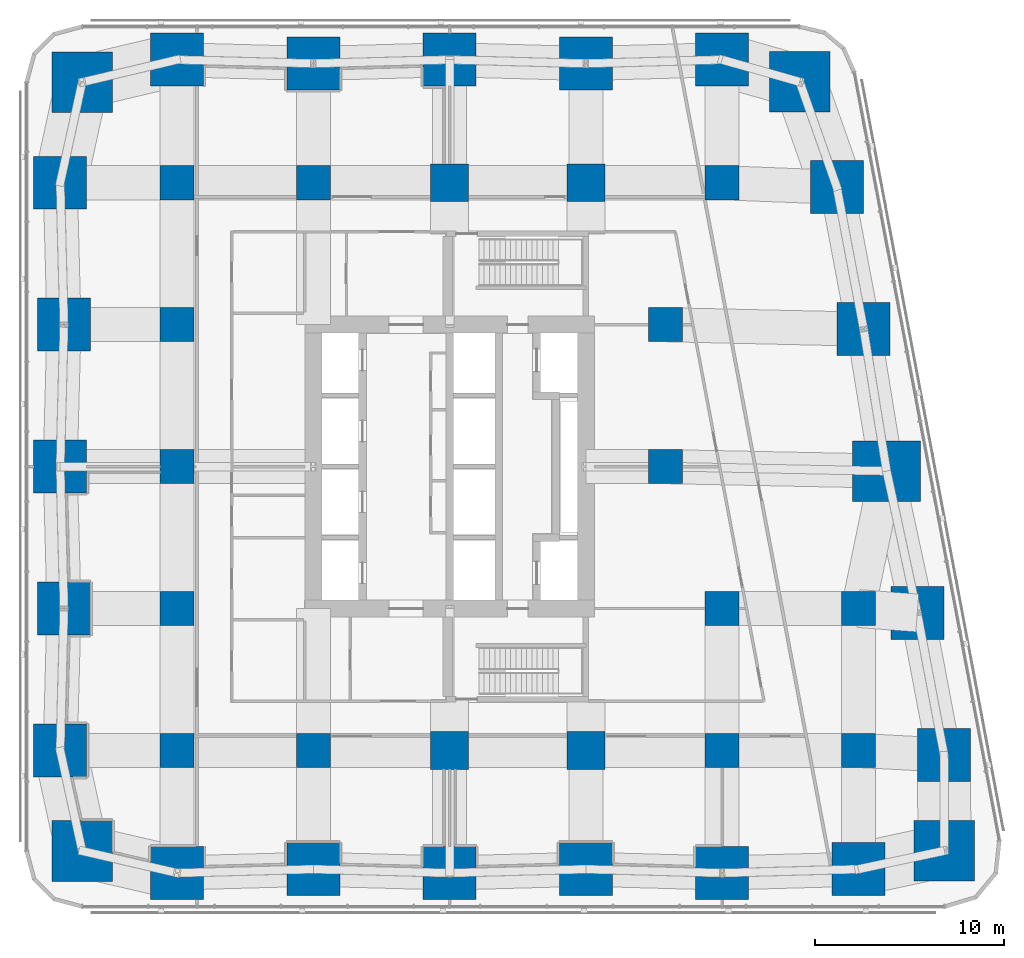
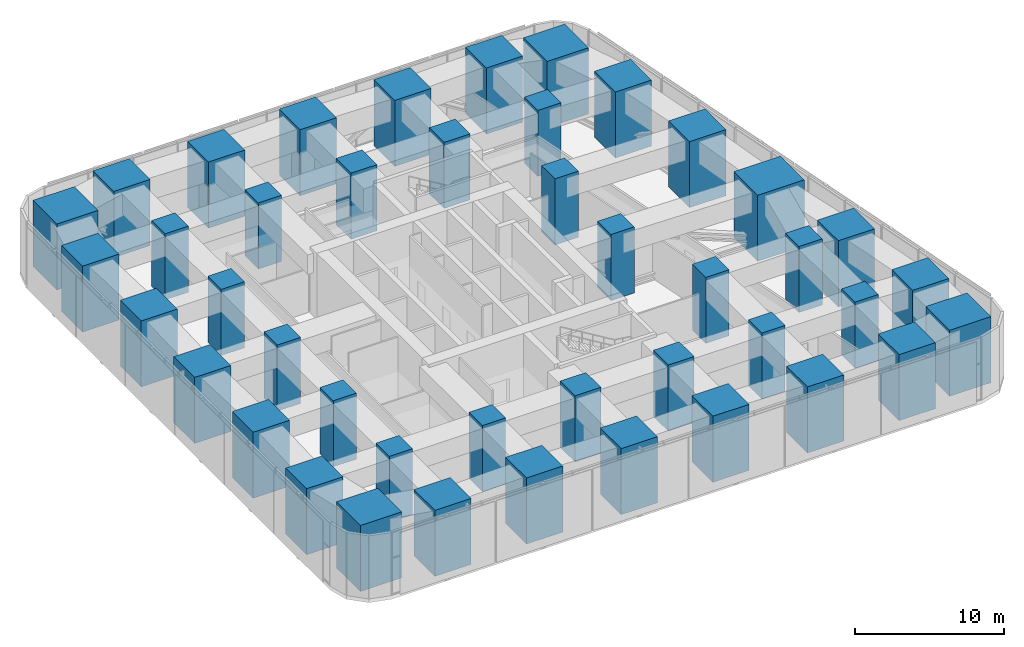
# One storey, part 1 of 20: 43 columns.
"""IFC4 building model written with IfcOpenShell, lengths in metres."""

from ifc_helpers import new_model, si_unit, direction, frame, origin, origin_2d, place, context, subcontext, project, spatial, rectangle, extrude, material, material_profile, profile_set, type_object, element, save


model = new_model("IFC4")

# Units and contexts
model_context = context("Model", 3, precision=1e-05, world=origin(), true_north=direction((0.0, 1.0)))
body_context = subcontext(model_context, "Body", "Model", "MODEL_VIEW")
ifc_project = project(units=[si_unit("LENGTHUNIT", "METRE"), si_unit("AREAUNIT", "SQUARE_METRE"), si_unit("VOLUMEUNIT", "CUBIC_METRE"), si_unit("PLANEANGLEUNIT", "RADIAN"), si_unit("MASSUNIT", "GRAM", prefix="KILO")], contexts=[model_context])

# Site, building, storey
site_placement = place(None, origin())
site = spatial("IfcSite", under=ifc_project, at=site_placement, CompositionType="ELEMENT")
building_placement = place(site_placement, origin())
building = spatial("IfcBuilding", under=site, at=building_placement, Name="Sheger Commons Tower", CompositionType="ELEMENT")
storey_placement = place(building_placement, frame((0.0, 0.0, 72.5)))
storey = spatial("IfcBuildingStorey", under=building, at=storey_placement, Name="L18", CompositionType="ELEMENT", Elevation=72.5)

# Columns
ifc_material_1 = material(Name="Concrete C50/60", Category="concrete")
ifc_material_profile_1 = material_profile(ifc_material_1, rectangle(XDim=3.60009765625, YDim=3.199951171875, at=origin_2d()), Name="RC 3600x3200")
ifc_profile_set_1 = profile_set([ifc_material_profile_1], Name="Concrete C50/60")
column_type_1 = type_object("IfcColumnType", Name="COLUMN PIER RC 3600x3200", PredefinedType="COLUMN", material=ifc_profile_set_1)
column_placement = place(storey_placement, frame((44.697021484375, 22.262939453125, 0.0), z_axis=(0.0, 0.0, 1.0), x_axis=(1.0, 0.0, 0.0)))
element("IfcColumn", 1, at=column_placement, inside=storey, type_object=column_type_1, Name="Pier 7/D+E/D L18", PredefinedType="COLUMN", context=body_context, shape_type="SweptSolid", body=[
    extrude(rectangle(XDim=3.60009765625, YDim=3.199951171875, at=origin_2d()), origin(), (0.0, 0.0, 1.0), 5.39990234375),
])
ifc_material_2 = material(Name="Concrete C50/60", Category="concrete")
ifc_material_profile_2 = material_profile(ifc_material_2, rectangle(XDim=1.800048828125, YDim=1.800048828125, at=origin_2d()), Name="RC 1800x1800")
ifc_profile_set_2 = profile_set([ifc_material_profile_2], Name="Concrete C50/60")
column_type_2 = type_object("IfcColumnType", Name="COLUMN RC 1800x1800", PredefinedType="COLUMN", material=ifc_profile_set_2)
for number, where, z_axis, x_axis, name in (
    (2, (7.199951171875, 7.5, 0.0), (0.0, 0.0, 1.0), (1.0, 0.0, 0.0), "Column 2/B L18"),
    (3, (14.39990234375, 7.5, 0.0), (0.0, 0.0, 1.0), (1.0, 0.0, 0.0), "Column 3/B L18"),
    (4, (36.0, 7.5, 0.0), (0.0, 0.0, 1.0), (1.0, 0.0, 0.0), "Column 6/B L18"),
    (5, (43.199951171875, 7.5, 0.0), (0.0, 0.0, 1.0), (1.0, 0.0, 0.0), "Column 7/B L18"),
    (6, (7.199951171875, 15.0, 0.0), (0.0, 0.0, 1.0), (1.0, 0.0, 0.0), "Column 2/C L18"),
    (7, (36.0, 15.0, 0.0), (0.0, 0.0, 1.0), (1.0, 0.0, 0.0), "Column 6/C L18"),
    (8, (43.199951171875, 15.0, 0.0), (0.0, 0.0, 1.0), (1.0, 0.0, 0.0), "Column 7/C L18"),
    (9, (7.199951171875, 22.5, 0.0), (0.0, 0.0, 1.0), (1.0, 0.0, 0.0), "Column 2/D L18"),
    (10, (33.0, 22.5, 0.0), (0.0, 0.0, 1.0), (1.0, 0.0, 0.0), "Column 6-3000/D L18"),
    (11, (7.199951171875, 30.0, 0.0), (0.0, 0.0, 1.0), (1.0, 0.0, 0.0), "Column 2/E L18"),
    (12, (33.0, 30.0, 0.0), (0.0, 0.0, 1.0), (1.0, 0.0, 0.0), "Column 6-3000/E L18"),
    (13, (7.199951171875, 37.5, 0.0), (0.0, 0.0, 1.0), (1.0, 0.0, 0.0), "Column 2/F L18"),
    (14, (14.39990234375, 37.5, 0.0), (0.0, 0.0, 1.0), (1.0, 0.0, 0.0), "Column 3/F L18"),
    (15, (36.0, 37.5, 0.0), (0.0, 0.0, 1.0), (1.0, 0.0, 0.0), "Column 6/F L18"),
):
    element("IfcColumn", number, at=place(storey_placement, frame(where, z_axis=z_axis, x_axis=x_axis)), inside=storey, type_object=column_type_2, Name=name, PredefinedType="COLUMN", context=body_context, shape_type="SweptSolid", body=[
        extrude(rectangle(XDim=1.800048828125, YDim=1.800048828125, at=origin_2d()), origin(), (0.0, 0.0, 1.0), 5.39990234375),
    ])
ifc_material_3 = material(Name="Concrete C50/60", Category="concrete")
ifc_material_profile_3 = material_profile(ifc_material_3, rectangle(XDim=2.0, YDim=2.0, at=origin_2d()), Name="RC 2000x2000")
ifc_profile_set_3 = profile_set([ifc_material_profile_3], Name="Concrete C50/60")
column_type_3 = type_object("IfcColumnType", Name="COLUMN RC 2000x2000", PredefinedType="COLUMN", material=ifc_profile_set_3)
for number, where, z_axis, x_axis, name in (
    (16, (21.60009765625, 7.5, 0.0), (0.0, 0.0, 1.0), (1.0, 0.0, 0.0), "Column 4/B L18"),
    (17, (28.800048828125, 7.5, 0.0), (0.0, 0.0, 1.0), (1.0, 0.0, 0.0), "Column 5/B L18"),
    (18, (21.60009765625, 37.5, 0.0), (0.0, 0.0, 1.0), (1.0, 0.0, 0.0), "Column 4/F L18"),
    (19, (28.800048828125, 37.5, 0.0), (0.0, 0.0, 1.0), (1.0, 0.0, 0.0), "Column 5/F L18"),
):
    element("IfcColumn", number, at=place(storey_placement, frame(where, z_axis=z_axis, x_axis=x_axis)), inside=storey, type_object=column_type_3, Name=name, PredefinedType="COLUMN", context=body_context, shape_type="SweptSolid", body=[
        extrude(rectangle(XDim=2.0, YDim=2.0, at=origin_2d()), origin(), (0.0, 0.0, 1.0), 5.39990234375),
    ])
ifc_material_4 = material(Name="Concrete C50/60", Category="concrete")
ifc_material_profile_4 = material_profile(ifc_material_4, rectangle(XDim=2.800048828125, YDim=2.800048828125, at=origin_2d()), Name="RC 2800x2800")
ifc_profile_set_4 = profile_set([ifc_material_profile_4], Name="Concrete C50/60")
column_type_4 = type_object("IfcColumnType", Name="COLUMN RC 2800x2800", PredefinedType="COLUMN", material=ifc_profile_set_4)
for number, where, z_axis, x_axis, name in (
    (20, (7.199951171875, 1.02490234375, 0.0), (0.0, 0.0, 1.0), (1.0, 0.0, 0.0), "Column 2/A L18"),
    (21, (14.39990234375, 1.22509765625, 0.0), (0.0, 0.0, 1.0), (1.0, 0.0, 0.0), "Column 3/A L18"),
    (22, (21.60009765625, 1.02490234375, 0.0), (0.0, 0.0, 1.0), (1.0, 0.0, 0.0), "Column 4/A L18"),
    (23, (28.800048828125, 1.22509765625, 0.0), (0.0, 0.0, 1.0), (1.0, 0.0, 0.0), "Column 5/A L18"),
    (24, (36.0, 1.02490234375, 0.0), (0.0, 0.0, 1.0), (1.0, 0.0, 0.0), "Column 6/A L18"),
    (25, (43.199951171875, 1.22509765625, 0.0), (0.0, 0.0, 1.0), (1.0, 0.0, 0.0), "Column 7/A L18"),
    (26, (1.02490234375, 7.5, 0.0), (0.0, 0.0, 1.0), (1.0, 0.0, 0.0), "Column 1/B L18"),
    (27, (47.72998046875, 7.262939453125, 0.0), (0.0, 0.0, 1.0), (1.0, 0.0, 0.0), "Column E/B L18"),
    (28, (1.22509765625, 15.0, 0.0), (0.0, 0.0, 1.0), (1.0, 0.0, 0.0), "Column 1/C L18"),
    (29, (46.31396484375, 14.762939453125, 0.0), (0.0, 0.0, 1.0), (1.0, 0.0, 0.0), "Column E/C L18"),
    (30, (1.02490234375, 22.5, 0.0), (0.0, 0.0, 1.0), (1.0, 0.0, 0.0), "Column 1/D L18"),
    (31, (1.22509765625, 30.0, 0.0), (0.0, 0.0, 1.0), (1.0, 0.0, 0.0), "Column 1/E L18"),
    (32, (43.47998046875, 29.762939453125, 0.0), (0.0, 0.0, 1.0), (1.0, 0.0, 0.0), "Column E/E L18"),
    (33, (1.02490234375, 37.5, 0.0), (0.0, 0.0, 1.0), (1.0, 0.0, 0.0), "Column 1/F L18"),
    (34, (42.06396484375, 37.262939453125, 0.0), (0.0, 0.0, 1.0), (1.0, 0.0, 0.0), "Column E/F L18"),
    (35, (7.199951171875, 44.0, 0.0), (0.0, 0.0, 1.0), (1.0, 0.0, 0.0), "Column 2/G L18"),
    (36, (14.39990234375, 43.800048828125, 0.0), (0.0, 0.0, 1.0), (1.0, 0.0, 0.0), "Column 3/G L18"),
    (37, (21.60009765625, 44.0, 0.0), (0.0, 0.0, 1.0), (1.0, 0.0, 0.0), "Column 4/G L18"),
    (38, (28.800048828125, 43.800048828125, 0.0), (0.0, 0.0, 1.0), (1.0, 0.0, 0.0), "Column 5/G L18"),
    (39, (36.0, 44.0, 0.0), (0.0, 0.0, 1.0), (1.0, 0.0, 0.0), "Column 6/G L18"),
):
    element("IfcColumn", number, at=place(storey_placement, frame(where, z_axis=z_axis, x_axis=x_axis)), inside=storey, type_object=column_type_4, Name=name, PredefinedType="COLUMN", context=body_context, shape_type="SweptSolid", body=[
        extrude(rectangle(XDim=2.800048828125, YDim=2.800048828125, at=origin_2d()), origin(), (0.0, 0.0, 1.0), 5.39990234375),
    ])
ifc_material_5 = material(Name="Concrete C50/60", Category="concrete")
ifc_material_profile_5 = material_profile(ifc_material_5, rectangle(XDim=3.199951171875, YDim=3.199951171875, at=origin_2d()), Name="RC 3200x3200")
ifc_profile_set_5 = profile_set([ifc_material_profile_5], Name="Concrete C50/60")
column_type_5 = type_object("IfcColumnType", Name="COLUMN RC 3200x3200", PredefinedType="COLUMN", material=ifc_profile_set_5)
for number, where, z_axis, x_axis, name in (
    (40, (2.18603515625, 2.18603515625, 0.0), (0.0, 0.0, 1.0), (1.0, 0.0, 0.0), "Column 0.630,0.630 L18"),
    (41, (47.748046875, 2.197021484375, 0.0), (0.0, 0.0, 1.0), (1.0, 0.0, 0.0), "Column 49.461,0.778 L18"),
    (42, (2.18603515625, 42.81396484375, 0.0), (0.0, 0.0, 1.0), (1.0, 0.0, 0.0), "Column 0.630,44.370 L18"),
    (43, (40.10205078125, 42.830078125, 0.0), (0.0, 0.0, 1.0), (1.0, 0.0, 0.0), "Column 41.490,44.505 L18"),
):
    element("IfcColumn", number, at=place(storey_placement, frame(where, z_axis=z_axis, x_axis=x_axis)), inside=storey, type_object=column_type_5, Name=name, PredefinedType="COLUMN", context=body_context, shape_type="SweptSolid", body=[
        extrude(rectangle(XDim=3.199951171875, YDim=3.199951171875, at=origin_2d()), origin(), (0.0, 0.0, 1.0), 5.39990234375),
    ])

save(model, "model.ifc")
